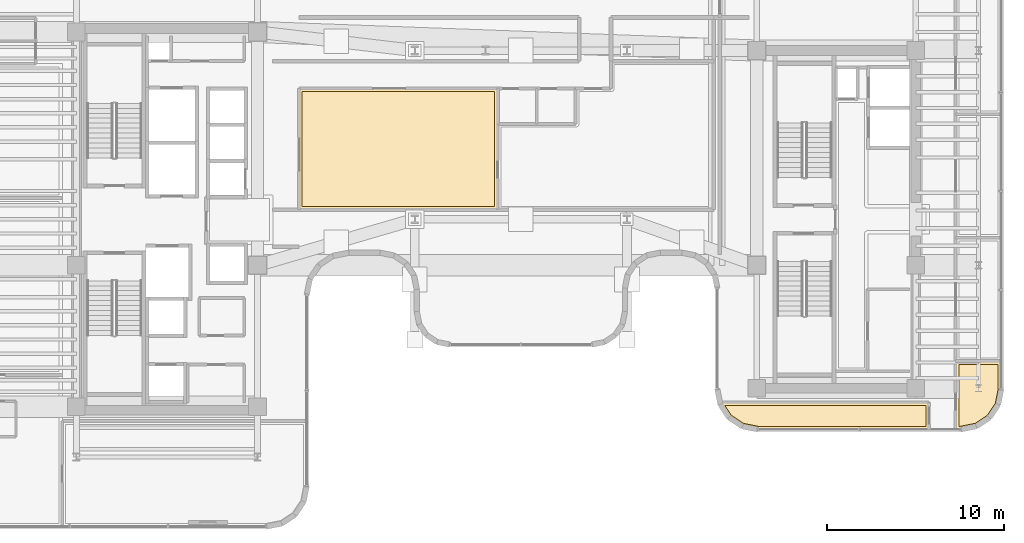
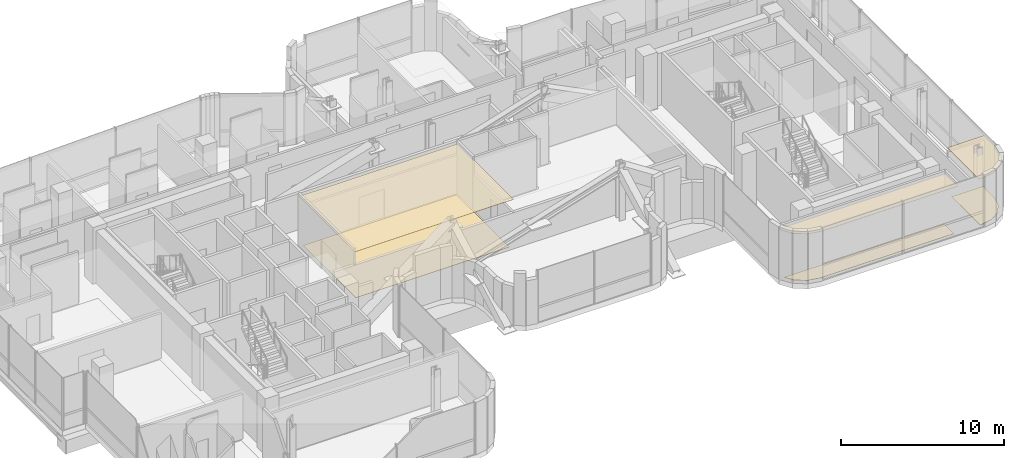
# One storey, part 34 of 37: 6 coverings.
"""IFC4 building model written with IfcOpenShell, lengths in metres."""

import ifcopenshell
import ifcopenshell.guid

model = None  # the IFC model being written
_history = None  # IfcOwnerHistory: only IFC2X3 demands one
_inside = {}  # id of a spatial element -> (the spatial element, [elements in it])
_under = {}  # id of a project, library or spatial element -> (it, [spatial elements below it])
_declared = {}  # id of a project -> (the project, [libraries it declares])
_typed = {}  # id of a type object -> (the type object, [elements of that type])
_made_of = {}  # id of a material, layer set ... -> (it, [elements and type objects made of it])


def new_model(schema):
    """Start an empty IFC model of exactly this schema.

    Asked for "IFC4X3", IfcOpenShell would pick the latest addendum, in which some entities
    have other attributes; the version numbers below select the first issue.
    IFC2X3 requires an IfcOwnerHistory on every rooted entity: one is made here for all.
    """
    global model, _history
    if schema == "IFC4X3":
        model = ifcopenshell.file(schema_version=(4, 3, 0, 0))
    else:
        model = ifcopenshell.file(schema=schema)
    _inside.clear()
    _under.clear()
    _declared.clear()
    _typed.clear()
    _made_of.clear()
    _history = None
    if model.schema == "IFC2X3":
        org = make("IfcOrganization", Name="unknown")
        user = make(
            "IfcPersonAndOrganization",
            ThePerson=make("IfcPerson", FamilyName="unknown"),
            TheOrganization=org,
        )
        app = make(
            "IfcApplication",
            ApplicationDeveloper=org,
            Version="unknown",
            ApplicationFullName="unknown",
            ApplicationIdentifier="unknown",
        )
        _history = make(
            "IfcOwnerHistory",
            OwningUser=user,
            OwningApplication=app,
            ChangeAction="ADDED",
            CreationDate=0,
        )
    return model


def make(cls, **values):
    """One entity of the class cls with the attributes given. An attribute that is None is left unset."""
    return model.create_entity(
        cls, **{name: value for name, value in values.items() if value is not None}
    )


def rooted(cls, **values):
    """An entity with a GlobalId (a new one), such as an element, a storey or a relation."""
    return make(cls, GlobalId=ifcopenshell.guid.new(), OwnerHistory=_history, **values)


def si_unit(unit_type, name, prefix=None):
    """IfcSIUnit, for example si_unit("LENGTHUNIT", "METRE", prefix="MILLI")."""
    return make("IfcSIUnit", UnitType=unit_type, Prefix=prefix, Name=name)


def assignment(units):
    """IfcUnitAssignment: the units of a project."""
    return None if units is None else make("IfcUnitAssignment", Units=units)


def point(xyz):
    """IfcCartesianPoint."""
    return None if xyz is None else make("IfcCartesianPoint", Coordinates=xyz)


def direction(xyz):
    """IfcDirection."""
    return None if xyz is None else make("IfcDirection", DirectionRatios=xyz)


def frame(location, z_axis=None, x_axis=None):
    """IfcAxis2Placement3D, a coordinate frame: its origin and axes. An axis left out is left unset."""
    return make(
        "IfcAxis2Placement3D",
        Location=point(location),
        Axis=direction(z_axis),
        RefDirection=direction(x_axis),
    )


def origin():
    """The frame at (0, 0, 0) with its axes left unset."""
    return frame((0.0, 0.0, 0.0))


def place(relative_to, where):
    """IfcLocalPlacement: puts the frame where relative to a parent placement (None: the world)."""
    return make(
        "IfcLocalPlacement", PlacementRelTo=relative_to, RelativePlacement=where
    )


def context(
    kind, dimensions, precision=None, world=None, true_north=None, identifier=None
):
    """IfcGeometricRepresentationContext, for example the 3D "Model" context."""
    return make(
        "IfcGeometricRepresentationContext",
        ContextIdentifier=identifier,
        ContextType=kind,
        CoordinateSpaceDimension=dimensions,
        Precision=precision,
        WorldCoordinateSystem=world,
        TrueNorth=true_north,
    )


def subcontext(parent, identifier, kind, view, scale=None):
    """IfcGeometricRepresentationSubContext, for example "Body" below "Model"."""
    return make(
        "IfcGeometricRepresentationSubContext",
        ContextIdentifier=identifier,
        ContextType=kind,
        ParentContext=parent,
        TargetScale=scale,
        TargetView=view,
    )


def project(units=None, contexts=None):
    """IfcProject with its units and contexts."""
    return rooted(
        "IfcProject",
        Name="project",
        RepresentationContexts=contexts,
        UnitsInContext=assignment(units),
    )


def spatial(cls, under=None, at=None, **own):
    """A site, building, storey or space (cls), placed at a placement, below another one or the project."""
    s = rooted(cls, ObjectPlacement=at, **own)
    if under is not None:
        _under.setdefault(under.id(), (under, []))[1].append(s)
    return s


def polyline(points):
    """IfcPolyline through the points."""
    return make("IfcPolyline", Points=[point(p) for p in points])


def outline(outer, holes=None, kind="AREA"):
    """IfcArbitraryClosedProfileDef: a profile drawn as a closed curve; with holes, ...WithVoids."""
    if holes is None:
        return make("IfcArbitraryClosedProfileDef", ProfileType=kind, OuterCurve=outer)
    return make(
        "IfcArbitraryProfileDefWithVoids",
        ProfileType=kind,
        OuterCurve=outer,
        InnerCurves=holes,
    )


def extrude(swept, where, along, depth):
    """IfcExtrudedAreaSolid: the profile swept, set in the frame where, extruded along a direction by depth."""
    return make(
        "IfcExtrudedAreaSolid",
        SweptArea=swept,
        Position=where,
        ExtrudedDirection=direction(along),
        Depth=depth,
    )


def shape(context_of_items, identifier, shape_type, items):
    """IfcShapeRepresentation: the items that make up one representation, for example the "Body"."""
    return make(
        "IfcShapeRepresentation",
        ContextOfItems=context_of_items,
        RepresentationIdentifier=identifier,
        RepresentationType=shape_type,
        Items=items,
    )


def material(Name=None, Category=None):
    """IfcMaterial."""
    return make("IfcMaterial", Name=Name, Category=Category)


def layer(
    of_material, thickness, ventilated=None, Name=None, Category=None, Priority=None
):
    """IfcMaterialLayer: one layer of a wall or slab, of a material (None: an air gap)."""
    return make(
        "IfcMaterialLayer",
        Material=of_material,
        LayerThickness=thickness,
        IsVentilated=ventilated,
        Name=Name,
        Category=Category,
        Priority=Priority,
    )


def layer_set(layers, Name=None):
    """IfcMaterialLayerSet."""
    return make("IfcMaterialLayerSet", MaterialLayers=layers, LayerSetName=Name)


def made_of(thing, what):
    """Note that an element or type object is made of a material, layer set ...; save() writes the relation."""
    if what is not None:
        _made_of.setdefault(what.id(), (what, []))[1].append(thing)
    return thing


def type_object(cls, material=None, **own):
    """A type object (cls), such as IfcWallType, which elements share."""
    return made_of(rooted(cls, **own), material)


def element(
    cls,
    number,
    at=None,
    inside=None,
    cuts=None,
    type_object=None,
    material=None,
    context=None,
    identifier="Body",
    shape_type=None,
    held_by="IfcProductDefinitionShape",
    body=None,
    shapes=None,
    **own,
):
    """One element of the class cls, such as IfcWall. Its Tag is "e" and its number.

    at: its placement. inside: the storey or other place that contains it. cuts: it is an
    opening in that element (IfcRelVoidsElement). A single representation is given by context,
    identifier, shape_type and body (its items); several are given by shapes. held_by: the class
    of the entity that holds the representations. save() writes the other relations.
    """
    e = rooted(cls, Tag="e%d" % number, ObjectPlacement=at, **own)
    if body is not None:
        shapes = [shape(context, identifier, shape_type, body)]
    if shapes is not None:
        e.Representation = make(held_by, Representations=shapes)
    if inside is not None:
        _inside.setdefault(inside.id(), (inside, []))[1].append(e)
    if cuts is not None:
        rooted(
            "IfcRelVoidsElement", RelatingBuildingElement=cuts, RelatedOpeningElement=e
        )
    if type_object is not None:
        _typed.setdefault(type_object.id(), (type_object, []))[1].append(e)
    return made_of(e, material)


def aggregate(whole, parts):
    """IfcRelAggregates: a whole, such as a stair, and the parts it consists of."""
    return rooted("IfcRelAggregates", RelatingObject=whole, RelatedObjects=parts)


def save(model, path):
    """Write the relations noted so far, then the file.

    IfcRelAggregates (storeys below a building ...), IfcRelContainedInSpatialStructure (elements
    in a storey), IfcRelDefinesByType, IfcRelAssociatesMaterial and IfcRelDeclares: one each for
    every whole, place, type object, material and project.
    """
    for whole, parts in _under.values():
        aggregate(whole, parts)
    for where, things in _inside.values():
        rooted(
            "IfcRelContainedInSpatialStructure",
            RelatedElements=things,
            RelatingStructure=where,
        )
    for kind, things in _typed.values():
        rooted("IfcRelDefinesByType", RelatedObjects=things, RelatingType=kind)
    for what, things in _made_of.values():
        rooted("IfcRelAssociatesMaterial", RelatedObjects=things, RelatingMaterial=what)
    for by, libraries in _declared.values():
        rooted("IfcRelDeclares", RelatingContext=by, RelatedDefinitions=libraries)
    model.write(path)


model = new_model("IFC4")

# Units and contexts
model_context = context("Model", 3, precision=1e-05, world=origin(), true_north=direction((0.0, 1.0)))
body_context = subcontext(model_context, "Body", "Model", "MODEL_VIEW")
ifc_project = project(units=[si_unit("LENGTHUNIT", "METRE"), si_unit("AREAUNIT", "SQUARE_METRE"), si_unit("VOLUMEUNIT", "CUBIC_METRE"), si_unit("PLANEANGLEUNIT", "RADIAN"), si_unit("MASSUNIT", "GRAM", prefix="KILO")], contexts=[model_context])

# Site, building, storey
site_placement = place(None, origin())
site = spatial("IfcSite", under=ifc_project, at=site_placement, CompositionType="ELEMENT")
building_placement = place(site_placement, origin())
building = spatial("IfcBuilding", under=site, at=building_placement, Name="Valdorenza Pilgrim Sanctuary Tower", CompositionType="ELEMENT")
storey_placement = place(building_placement, frame((0.0, 0.0, 172.300048828125)))
storey = spatial("IfcBuildingStorey", under=building, at=storey_placement, Name="L44", CompositionType="ELEMENT", Elevation=172.300048828125)

# Coverings
ifc_material_1 = material(Name="Micro-perforated acoustic mineral ceiling tile", Category="gypsum")
ifc_layer_1 = layer(ifc_material_1, 0.02490234375, Name="Micro-perforated acoustic mineral ceiling tile")
ifc_layer_set_1 = layer_set([ifc_layer_1], Name="Micro-perforated acoustic mineral ceiling tile")
covering_type_1 = type_object("IfcCoveringType", Name="COV-CLG-ACU", PredefinedType="CEILING", material=ifc_layer_set_1)
covering_1_placement = place(storey_placement, frame((0.0, 0.0, 3.6298828125)))
element("IfcCovering", 1, at=covering_1_placement, inside=storey, type_object=covering_type_1, Name="L44 Congregational Prayer Hall Acoustic Ceiling", PredefinedType="CEILING", context=body_context, shape_type="SweptSolid", body=[
    extrude(outline(polyline([(1.212890625, 5.405517578125), (1.21337890625, 5.40478515625), (1.2138671875, 5.403564453125), (1.21435546875, 5.402099609375), (1.214599609375, 5.40087890625), (1.21484375, 5.3994140625), (1.215087890625, 5.39794921875), (1.215087890625, 0.550048828125), (1.21484375, 0.548583984375), (1.214599609375, 0.547119140625), (1.21435546875, 0.545654296875), (1.2138671875, 0.544189453125), (1.213134765625, 0.54296875), (1.21240234375, 0.541748046875), (1.211669921875, 0.54052734375), (1.210693359375, 0.539306640625), (1.20947265625, 0.538330078125), (1.208251953125, 0.53759765625), (1.20703125, 0.536865234375), (1.205810546875, 0.5361328125), (1.204345703125, 0.53564453125), (1.202880859375, 0.535400390625), (1.201416015625, 0.53515625), (1.199951171875, 0.534912109375), (-10.050048828125, 0.534912109375), (-10.051513671875, 0.53515625), (-10.052978515625, 0.535400390625), (-10.054443359375, 0.53564453125), (-10.0556640625, 0.5361328125), (-10.05712890625, 0.536865234375), (-10.058349609375, 0.53759765625), (-10.0595703125, 0.538330078125), (-10.060546875, 0.539306640625), (-10.0615234375, 0.54052734375), (-10.0625, 0.541748046875), (-10.063232421875, 0.54296875), (-10.06396484375, 0.544189453125), (-10.064453125, 0.545654296875), (-10.064697265625, 0.547119140625), (-10.06494140625, 0.548583984375), (-10.06494140625, 0.550048828125), (-10.06494140625, 7.39990234375), (-10.06494140625, 7.401611328125), (-10.064697265625, 7.40283203125), (-10.064453125, 7.404296875), (-10.06396484375, 7.40576171875), (-10.063232421875, 7.406982421875), (-10.0625, 7.408203125), (-10.0615234375, 7.409423828125), (-10.060546875, 7.41064453125), (-10.0595703125, 7.41162109375), (-10.058349609375, 7.41259765625), (-10.05712890625, 7.4130859375), (-10.0556640625, 7.413818359375), (-10.054443359375, 7.414306640625), (-10.052978515625, 7.414794921875), (-10.051513671875, 7.414794921875), (-10.050048828125, 7.4150390625), (1.197998046875, 7.4150390625), (1.199462890625, 7.414794921875), (1.200927734375, 7.414794921875), (1.202392578125, 7.414306640625), (1.20361328125, 7.413818359375), (1.205078125, 7.4130859375), (1.206298828125, 7.41259765625), (1.20751953125, 7.41162109375), (1.20849609375, 7.41064453125), (1.209716796875, 7.409423828125), (1.21044921875, 7.408203125), (1.211181640625, 7.406982421875), (1.2119140625, 7.40576171875), (1.21240234375, 7.404296875), (1.212646484375, 7.40283203125), (1.212890625, 7.401611328125), (1.212890625, 7.39990234375), (1.212890625, 5.405517578125)])), origin(), (0.0, 0.0, 1.0), 0.025146484375),
])
covering_2_placement = place(storey_placement, frame((0.0, 0.0, 3.6298828125)))
element("IfcCovering", 2, at=covering_2_placement, inside=storey, type_object=covering_type_1, Name="L44 Sacred Manuscript Archive L44-BS Acoustic Ceiling", PredefinedType="CEILING", context=body_context, shape_type="SweptSolid", body=[
    extrude(outline(polyline([(25.614990234375, -11.889892578125), (25.614990234375, -11.8916015625), (25.61474609375, -11.892822265625), (25.614501953125, -11.894287109375), (25.614013671875, -11.895751953125), (25.61328125, -11.897216796875), (25.612548828125, -11.898193359375), (25.611572265625, -11.8994140625), (25.610595703125, -11.900634765625), (25.609619140625, -11.901611328125), (25.6083984375, -11.902587890625), (25.607177734375, -11.9033203125), (25.605712890625, -11.90380859375), (25.6044921875, -11.904296875), (25.602783203125, -11.90478515625), (25.6015625, -11.90478515625), (25.60009765625, -11.905029296875), (15.910888671875, -11.905029296875), (15.909423828125, -11.90478515625), (15.907958984375, -11.90478515625), (15.021484375, -11.728515625), (15.020263671875, -11.72802734375), (15.018798828125, -11.7275390625), (15.017333984375, -11.726806640625), (15.01611328125, -11.726318359375), (14.27392578125, -11.230224609375), (14.272705078125, -11.2294921875), (14.271484375, -11.228515625), (14.2705078125, -11.227294921875), (14.269775390625, -11.22607421875), (13.773681640625, -10.48388671875), (13.773193359375, -10.482666015625), (13.7724609375, -10.481201171875), (13.77197265625, -10.479736328125), (13.771484375, -10.478515625), (13.74658203125, -10.352783203125), (13.746337890625, -10.3515625), (13.746337890625, -10.35009765625), (13.746337890625, -10.348388671875), (13.74658203125, -10.34716796875), (13.7470703125, -10.345703125), (13.74755859375, -10.34423828125), (13.748046875, -10.343017578125), (13.748779296875, -10.341796875), (13.749755859375, -10.340576171875), (13.750732421875, -10.33935546875), (13.751708984375, -10.33837890625), (13.7529296875, -10.33740234375), (13.75439453125, -10.3369140625), (13.755615234375, -10.336181640625), (13.757080078125, -10.335693359375), (13.75830078125, -10.335205078125), (13.760009765625, -10.335205078125), (13.761474609375, -10.3349609375), (25.60009765625, -10.3349609375), (25.6015625, -10.335205078125), (25.602783203125, -10.335205078125), (25.6044921875, -10.335693359375), (25.605712890625, -10.336181640625), (25.607177734375, -10.3369140625), (25.6083984375, -10.33740234375), (25.609619140625, -10.33837890625), (25.610595703125, -10.33935546875), (25.611572265625, -10.340576171875), (25.612548828125, -10.341796875), (25.61328125, -10.343017578125), (25.614013671875, -10.34423828125), (25.614501953125, -10.345703125), (25.61474609375, -10.34716796875), (25.614990234375, -10.348388671875), (25.614990234375, -10.35009765625), (25.614990234375, -11.889892578125)])), origin(), (0.0, 0.0, 1.0), 0.025146484375),
])
covering_3_placement = place(storey_placement, frame((0.0, 0.0, 3.6298828125)))
element("IfcCovering", 3, at=covering_3_placement, inside=storey, type_object=covering_type_1, Name="L44 East Reading Lounge L44-EB1 Acoustic Ceiling", PredefinedType="CEILING", context=body_context, shape_type="SweptSolid", body=[
    extrude(outline(polyline([(29.68994140625, -8.0048828125), (29.69140625, -8.005126953125), (29.69287109375, -8.00537109375), (29.6943359375, -8.005615234375), (29.69580078125, -8.006103515625), (29.697021484375, -8.0068359375), (29.6982421875, -8.007568359375), (29.699462890625, -8.00830078125), (29.70068359375, -8.009521484375), (29.70166015625, -8.010498046875), (29.702392578125, -8.01171875), (29.703125, -8.012939453125), (29.703857421875, -8.014404296875), (29.704345703125, -8.015625), (29.70458984375, -8.01708984375), (29.704833984375, -8.0185546875), (29.705078125, -8.02001953125), (29.705078125, -9.589111328125), (29.704833984375, -9.590576171875), (29.70458984375, -9.592041015625), (29.5283203125, -10.478515625), (29.528076171875, -10.479736328125), (29.527587890625, -10.481201171875), (29.52685546875, -10.482666015625), (29.526123046875, -10.48388671875), (29.0302734375, -11.22607421875), (29.029296875, -11.227294921875), (29.0283203125, -11.228515625), (29.02734375, -11.2294921875), (29.026123046875, -11.230224609375), (28.28369140625, -11.726318359375), (28.28271484375, -11.726806640625), (28.28125, -11.7275390625), (28.27978515625, -11.72802734375), (28.2783203125, -11.728515625), (27.39208984375, -11.90478515625), (27.390625, -11.90478515625), (27.38916015625, -11.905029296875), (27.10009765625, -11.905029296875), (27.098388671875, -11.90478515625), (27.09716796875, -11.90478515625), (27.095703125, -11.904296875), (27.09423828125, -11.90380859375), (27.093017578125, -11.9033203125), (27.091796875, -11.902587890625), (27.090576171875, -11.901611328125), (27.08935546875, -11.900634765625), (27.08837890625, -11.8994140625), (27.08740234375, -11.898193359375), (27.0869140625, -11.897216796875), (27.086181640625, -11.895751953125), (27.085693359375, -11.894287109375), (27.085205078125, -11.892822265625), (27.085205078125, -11.8916015625), (27.0849609375, -11.889892578125), (27.0849609375, -8.02001953125), (27.085205078125, -8.0185546875), (27.085205078125, -8.01708984375), (27.085693359375, -8.015625), (27.086181640625, -8.014404296875), (27.0869140625, -8.012939453125), (27.08740234375, -8.01171875), (27.08837890625, -8.010498046875), (27.08935546875, -8.009521484375), (27.090576171875, -8.00830078125), (27.091796875, -8.007568359375), (27.093017578125, -8.0068359375), (27.09423828125, -8.006103515625), (27.095703125, -8.005615234375), (27.09716796875, -8.00537109375), (27.098388671875, -8.005126953125), (27.10009765625, -8.0048828125), (29.68994140625, -8.0048828125)])), origin(), (0.0, 0.0, 1.0), 0.025146484375),
])
ifc_material_2 = material(Name="Honed travertine stone flooring", Category="masonry")
ifc_layer_2 = layer(ifc_material_2, 0.030029296875, Name="Honed travertine stone flooring")
ifc_layer_set_2 = layer_set([ifc_layer_2], Name="Honed travertine stone flooring")
covering_type_2 = type_object("IfcCoveringType", Name="COV-FLR-TRV", PredefinedType="FLOORING", material=ifc_layer_set_2)
covering_4_placement = place(storey_placement, origin())
element("IfcCovering", 4, at=covering_4_placement, inside=storey, type_object=covering_type_2, Name="L44 Congregational Prayer Hall Flooring", PredefinedType="FLOORING", context=body_context, shape_type="SweptSolid", body=[
    extrude(outline(polyline([(1.02001953125, 0.72998046875), (-9.8701171875, 0.72998046875), (-9.8701171875, 7.219970703125), (1.01806640625, 7.219970703125), (1.01806640625, 5.39990234375), (1.02001953125, 0.72998046875)])), origin(), (0.0, 0.0, 1.0), 0.02490234375),
])
covering_5_placement = place(storey_placement, origin())
element("IfcCovering", 5, at=covering_5_placement, inside=storey, type_object=covering_type_2, Name="L44 Sacred Manuscript Archive L44-BS Flooring", PredefinedType="FLOORING", context=body_context, shape_type="SweptSolid", body=[
    extrude(outline(polyline([(14.039306640625, -10.530029296875), (25.419921875, -10.530029296875), (25.419921875, -11.7099609375), (15.9287109375, -11.7099609375), (15.0947265625, -11.544189453125), (14.412109375, -11.087890625), (14.039306640625, -10.530029296875)])), origin(), (0.0, 0.0, 1.0), 0.02490234375),
])
covering_6_placement = place(storey_placement, origin())
element("IfcCovering", 6, at=covering_6_placement, inside=storey, type_object=covering_type_2, Name="L44 East Reading Lounge L44-EB1 Flooring", PredefinedType="FLOORING", context=body_context, shape_type="SweptSolid", body=[
    extrude(outline(polyline([(29.510009765625, -8.199951171875), (29.510009765625, -9.5712890625), (29.343994140625, -10.4052734375), (28.887939453125, -11.087890625), (28.205322265625, -11.544189453125), (27.371337890625, -11.7099609375), (27.280029296875, -11.7099609375), (27.280029296875, -8.199951171875), (29.510009765625, -8.199951171875)])), origin(), (0.0, 0.0, 1.0), 0.02490234375),
])

save(model, "model.ifc")
